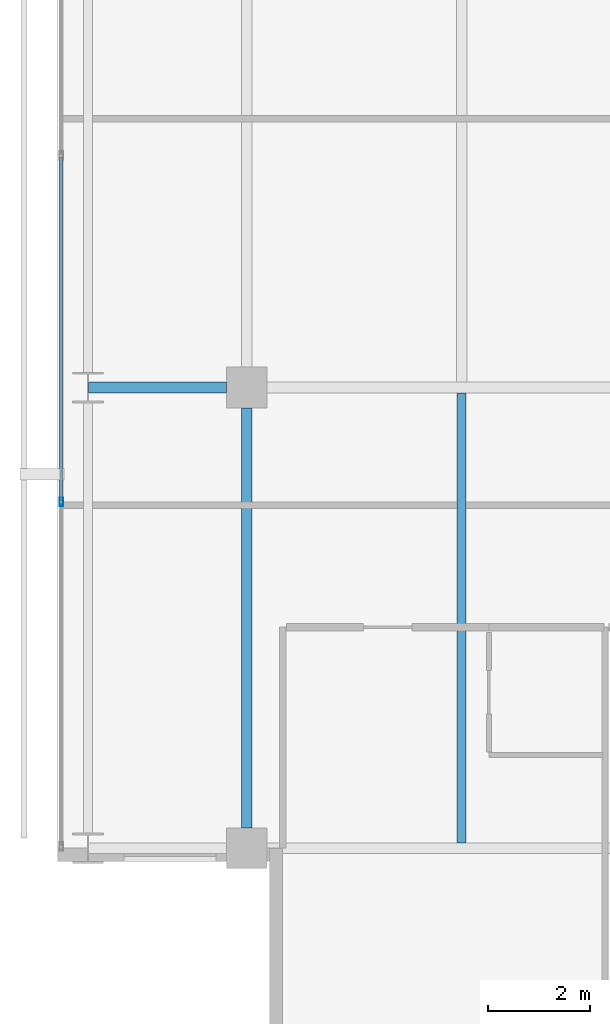
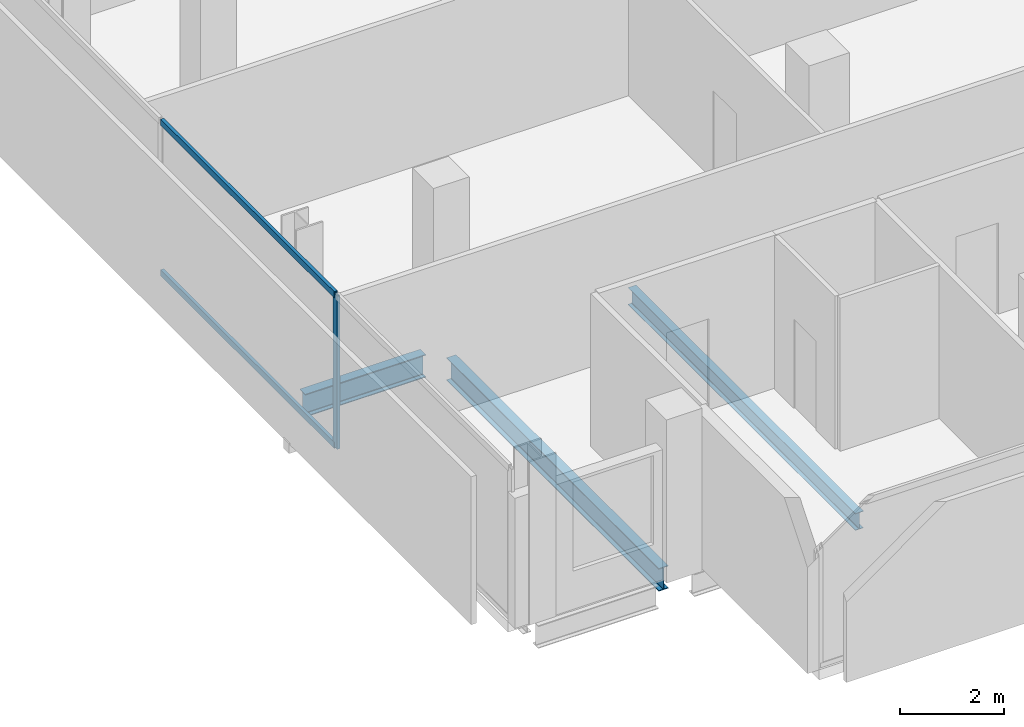
# One storey, part 4 of 33: 3 beams, 3 members, 1 element without a shape of its own.
"""IFC4 building model written with IfcOpenShell, lengths in metres."""

from ifc_helpers import new_model, si_unit, direction, frame, origin, origin_2d, place, context, subcontext, project, spatial, hollow_rectangle, i_section, extrude, material, layer, layer_set, material_profile, profile_set, type_object, element, aggregate, save


model = new_model("IFC4")

# Units and contexts
model_context = context("Model", 3, precision=1e-05, world=origin(), true_north=direction((0.0, 1.0)))
body_context = subcontext(model_context, "Body", "Model", "MODEL_VIEW")
ifc_project = project(units=[si_unit("LENGTHUNIT", "METRE"), si_unit("AREAUNIT", "SQUARE_METRE"), si_unit("VOLUMEUNIT", "CUBIC_METRE"), si_unit("PLANEANGLEUNIT", "RADIAN"), si_unit("MASSUNIT", "GRAM", prefix="KILO")], contexts=[model_context])

# Site, building, storey
site_placement = place(None, origin())
site = spatial("IfcSite", under=ifc_project, at=site_placement, CompositionType="ELEMENT")
building_placement = place(site_placement, origin())
building = spatial("IfcBuilding", under=site, at=building_placement, Name="Maruvema Waterfront Hotel and Observation Tower", CompositionType="ELEMENT")
storey_placement = place(building_placement, frame((0.0, 0.0, 200.550048828125)))
storey = spatial("IfcBuildingStorey", under=building, at=storey_placement, Name="L49", CompositionType="ELEMENT", Elevation=200.550048828125)

# Curtain wall, members
ifc_material_1 = material(Name="Anodised bronze aluminium and solar-control low-E IGU", Category="aluminium")
ifc_layer = layer(ifc_material_1, 0.159912109375, Name="Zone 2 Amber Inner Thermal Curtain Wall System CW-03")
ifc_layer_set = layer_set([ifc_layer], Name="Anodised bronze aluminium and solar-control low-E IGU")
curtain_wall_type = type_object("IfcCurtainWallType", Name="Zone 2 Amber Inner Thermal Curtain Wall System CW-03", PredefinedType="USERDEFINED", material=ifc_layer_set)
curtain_wall_placement = place(storey_placement, origin())
curtain_wall = element("IfcCurtainWall", 1, at=curtain_wall_placement, inside=storey, type_object=curtain_wall_type, Name="L49 Curtain Wall CW-L49-W", ObjectType="UNITISED CURTAIN WALL", PredefinedType="USERDEFINED")
ifc_material_2 = material(Name="Anodised architectural bronze aluminium", Category="aluminium")
ifc_material_profile_1 = material_profile(ifc_material_2, hollow_rectangle(XDim=0.070068359375, YDim=0.14990234375, WallThickness=0.00390625, at=origin_2d()), Name="ALU-T70x150")
ifc_profile_set_1 = profile_set([ifc_material_profile_1], Name="Anodised architectural bronze aluminium")
member_type_1 = type_object("IfcMemberType", Name="Curtain Wall Horizontal Transom ALU-T70x150", PredefinedType="USERDEFINED", material=ifc_profile_set_1)
member_1_placement = place(storey_placement, frame((13.179931640625, 22.50341796875, 0.030029296875), z_axis=(0.0, -1.0, 0.0), x_axis=(1.0, 0.0, 0.0)))
member_1 = element("IfcMember", 2, at=member_1_placement, type_object=member_type_1, Name="CW-03 transom 5.1", ObjectType="TRANSOM", PredefinedType="USERDEFINED", context=body_context, shape_type="SweptSolid", body=[
    extrude(hollow_rectangle(XDim=0.070068359375, YDim=0.14990234375, WallThickness=0.00390625, at=origin_2d()), origin(), (0.0, 0.0, 1.0), 6.706787109375),
])
member_2_placement = place(storey_placement, frame((13.179931640625, 22.50341796875, 3.579833984375), z_axis=(0.0, -1.0, 0.0), x_axis=(1.0, 0.0, 0.0)))
member_2 = element("IfcMember", 3, at=member_2_placement, type_object=member_type_1, Name="CW-03 transom 5.2", ObjectType="TRANSOM", PredefinedType="USERDEFINED", context=body_context, shape_type="SweptSolid", body=[
    extrude(hollow_rectangle(XDim=0.070068359375, YDim=0.14990234375, WallThickness=0.00390625, at=origin_2d()), origin(), (0.0, 0.0, 1.0), 6.706787109375),
])
ifc_material_3 = material(Name="Anodised architectural bronze aluminium", Category="aluminium")
ifc_material_profile_2 = material_profile(ifc_material_3, hollow_rectangle(XDim=0.06494140625, YDim=0.1650390625, WallThickness=0.00390625, at=origin_2d()), Name="ALU-M65x165")
ifc_profile_set_2 = profile_set([ifc_material_profile_2], Name="Anodised architectural bronze aluminium")
member_type_2 = type_object("IfcMemberType", Name="Curtain Wall Primary Mullion ALU-M65x165", PredefinedType="MULLION", material=ifc_profile_set_2)
member_3_placement = place(storey_placement, frame((13.179931640625, 15.7666015625, 0.0), z_axis=(0.0, 0.0, 1.0), x_axis=(1.0, 0.0, 0.0)))
member_3 = element("IfcMember", 4, at=member_3_placement, type_object=member_type_2, Name="CW-03 mullion 6", PredefinedType="MULLION", context=body_context, shape_type="SweptSolid", body=[
    extrude(hollow_rectangle(XDim=0.06494140625, YDim=0.1650390625, WallThickness=0.00390625, at=origin_2d()), origin(), (0.0, 0.0, 1.0), 3.60986328125),
])
aggregate(curtain_wall, [member_3, member_1, member_2])

# Beams
ifc_material_4 = material(Name="Steel ASTM A572 Grade 50", Category="steel")
ifc_material_profile_3 = material_profile(ifc_material_4, i_section(OverallWidth=0.2109375, OverallDepth=0.5390625, WebThickness=0.01171875, FlangeThickness=0.018798828125, FilletRadius=0.014892578125, at=origin_2d()), Name="W530x109.0")
ifc_profile_set_3 = profile_set([ifc_material_profile_3], Name="Steel ASTM A572 Grade 50")
beam_type_1 = type_object("IfcBeamType", Name="Primary Floor Girder W530x109.0", PredefinedType="BEAM", material=ifc_profile_set_3)
beam_1_placement = place(storey_placement, frame((13.71240234375, 18.0, -0.509521484375), z_axis=(1.0, 0.0, 0.0), x_axis=(0.0, 1.0, 0.0)))
element("IfcBeam", 5, at=beam_1_placement, inside=storey, type_object=beam_type_1, Name="L49 Floor Girder EW-11", PredefinedType="BEAM", context=body_context, shape_type="SweptSolid", body=[
    extrude(i_section(OverallWidth=0.2109375, OverallDepth=0.5390625, WebThickness=0.01171875, FlangeThickness=0.018798828125, FilletRadius=0.014892578125, at=origin_2d()), origin(), (0.0, 0.0, 1.0), 2.6875),
])
beam_2_placement = place(storey_placement, frame((16.800048828125, 9.39990234375, -0.509521484375), z_axis=(0.0, 1.0, 0.0), x_axis=(-1.0, 0.0, 0.0)))
element("IfcBeam", 6, at=beam_2_placement, inside=storey, type_object=beam_type_1, Name="L49 Floor Girder NS-05", PredefinedType="BEAM", context=body_context, shape_type="SweptSolid", body=[
    extrude(i_section(OverallWidth=0.2109375, OverallDepth=0.5390625, WebThickness=0.01171875, FlangeThickness=0.018798828125, FilletRadius=0.014892578125, at=origin_2d()), origin(), (0.0, 0.0, 1.0), 8.2001953125),
])
ifc_material_5 = material(Name="Steel ASTM A572 Grade 50", Category="steel")
ifc_material_profile_4 = material_profile(ifc_material_5, i_section(OverallWidth=0.177001953125, OverallDepth=0.403076171875, WebThickness=0.007568359375, FlangeThickness=0.010986328125, FilletRadius=0.014892578125, at=origin_2d()), Name="W410x53.0")
ifc_profile_set_4 = profile_set([ifc_material_profile_4], Name="Steel ASTM A572 Grade 50")
beam_type_2 = type_object("IfcBeamType", Name="Secondary Floor Joist W410x53.0", PredefinedType="JOIST", material=ifc_profile_set_4)
beam_3_placement = place(storey_placement, frame((21.0, 9.10546875, -0.441650390625), z_axis=(0.0, 1.0, 0.0), x_axis=(-1.0, 0.0, 0.0)))
element("IfcBeam", 7, at=beam_3_placement, inside=storey, type_object=beam_type_2, Name="L49 Secondary Floor Joist JS-01", PredefinedType="JOIST", context=body_context, shape_type="SweptSolid", body=[
    extrude(i_section(OverallWidth=0.177001953125, OverallDepth=0.403076171875, WebThickness=0.007568359375, FlangeThickness=0.010986328125, FilletRadius=0.014892578125, at=origin_2d()), origin(), (0.0, 0.0, 1.0), 8.7890625),
])

save(model, "model.ifc")
